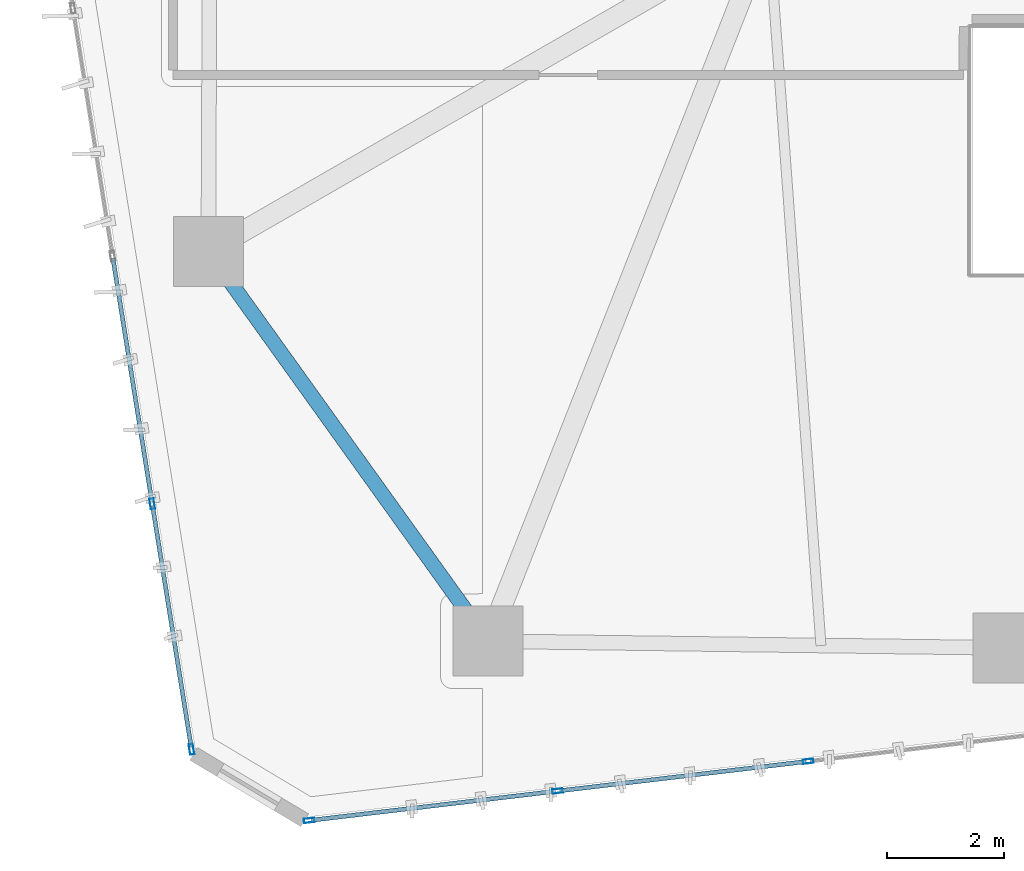
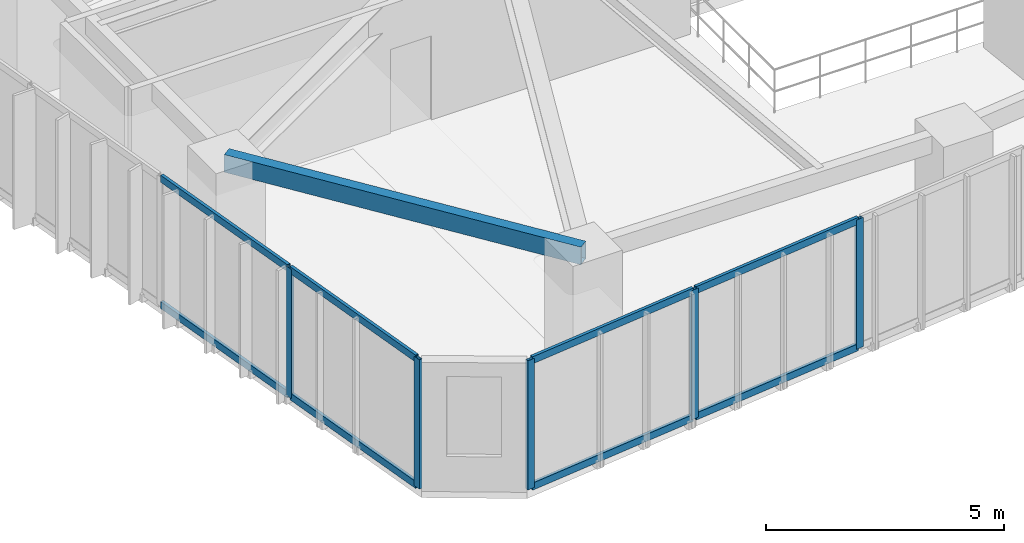
# One storey, part 2 of 24: 13 members, 1 beam, 2 elements without a shape of their own.
"""IFC4 building model written with IfcOpenShell, lengths in metres."""

import ifcopenshell
import ifcopenshell.guid

model = None  # the IFC model being written
_history = None  # IfcOwnerHistory: only IFC2X3 demands one
_inside = {}  # id of a spatial element -> (the spatial element, [elements in it])
_under = {}  # id of a project, library or spatial element -> (it, [spatial elements below it])
_declared = {}  # id of a project -> (the project, [libraries it declares])
_typed = {}  # id of a type object -> (the type object, [elements of that type])
_made_of = {}  # id of a material, layer set ... -> (it, [elements and type objects made of it])


def new_model(schema):
    """Start an empty IFC model of exactly this schema.

    Asked for "IFC4X3", IfcOpenShell would pick the latest addendum, in which some entities
    have other attributes; the version numbers below select the first issue.
    IFC2X3 requires an IfcOwnerHistory on every rooted entity: one is made here for all.
    """
    global model, _history
    if schema == "IFC4X3":
        model = ifcopenshell.file(schema_version=(4, 3, 0, 0))
    else:
        model = ifcopenshell.file(schema=schema)
    _inside.clear()
    _under.clear()
    _declared.clear()
    _typed.clear()
    _made_of.clear()
    _history = None
    if model.schema == "IFC2X3":
        org = make("IfcOrganization", Name="unknown")
        user = make(
            "IfcPersonAndOrganization",
            ThePerson=make("IfcPerson", FamilyName="unknown"),
            TheOrganization=org,
        )
        app = make(
            "IfcApplication",
            ApplicationDeveloper=org,
            Version="unknown",
            ApplicationFullName="unknown",
            ApplicationIdentifier="unknown",
        )
        _history = make(
            "IfcOwnerHistory",
            OwningUser=user,
            OwningApplication=app,
            ChangeAction="ADDED",
            CreationDate=0,
        )
    return model


def make(cls, **values):
    """One entity of the class cls with the attributes given. An attribute that is None is left unset."""
    return model.create_entity(
        cls, **{name: value for name, value in values.items() if value is not None}
    )


def rooted(cls, **values):
    """An entity with a GlobalId (a new one), such as an element, a storey or a relation."""
    return make(cls, GlobalId=ifcopenshell.guid.new(), OwnerHistory=_history, **values)


def si_unit(unit_type, name, prefix=None):
    """IfcSIUnit, for example si_unit("LENGTHUNIT", "METRE", prefix="MILLI")."""
    return make("IfcSIUnit", UnitType=unit_type, Prefix=prefix, Name=name)


def assignment(units):
    """IfcUnitAssignment: the units of a project."""
    return None if units is None else make("IfcUnitAssignment", Units=units)


def point(xyz):
    """IfcCartesianPoint."""
    return None if xyz is None else make("IfcCartesianPoint", Coordinates=xyz)


def direction(xyz):
    """IfcDirection."""
    return None if xyz is None else make("IfcDirection", DirectionRatios=xyz)


def frame(location, z_axis=None, x_axis=None):
    """IfcAxis2Placement3D, a coordinate frame: its origin and axes. An axis left out is left unset."""
    return make(
        "IfcAxis2Placement3D",
        Location=point(location),
        Axis=direction(z_axis),
        RefDirection=direction(x_axis),
    )


def frame_2d(location, x_axis=None):
    """IfcAxis2Placement2D, a coordinate frame in the plane: its origin and x axis."""
    return make(
        "IfcAxis2Placement2D", Location=point(location), RefDirection=direction(x_axis)
    )


def origin():
    """The frame at (0, 0, 0) with its axes left unset."""
    return frame((0.0, 0.0, 0.0))


def origin_2d():
    """The frame at (0, 0) in the plane with its x axis left unset."""
    return frame_2d((0.0, 0.0))


def place(relative_to, where):
    """IfcLocalPlacement: puts the frame where relative to a parent placement (None: the world)."""
    return make(
        "IfcLocalPlacement", PlacementRelTo=relative_to, RelativePlacement=where
    )


def context(
    kind, dimensions, precision=None, world=None, true_north=None, identifier=None
):
    """IfcGeometricRepresentationContext, for example the 3D "Model" context."""
    return make(
        "IfcGeometricRepresentationContext",
        ContextIdentifier=identifier,
        ContextType=kind,
        CoordinateSpaceDimension=dimensions,
        Precision=precision,
        WorldCoordinateSystem=world,
        TrueNorth=true_north,
    )


def subcontext(parent, identifier, kind, view, scale=None):
    """IfcGeometricRepresentationSubContext, for example "Body" below "Model"."""
    return make(
        "IfcGeometricRepresentationSubContext",
        ContextIdentifier=identifier,
        ContextType=kind,
        ParentContext=parent,
        TargetScale=scale,
        TargetView=view,
    )


def project(units=None, contexts=None):
    """IfcProject with its units and contexts."""
    return rooted(
        "IfcProject",
        Name="project",
        RepresentationContexts=contexts,
        UnitsInContext=assignment(units),
    )


def spatial(cls, under=None, at=None, **own):
    """A site, building, storey or space (cls), placed at a placement, below another one or the project."""
    s = rooted(cls, ObjectPlacement=at, **own)
    if under is not None:
        _under.setdefault(under.id(), (under, []))[1].append(s)
    return s


def profile(cls, at=None, kind="AREA", **sizes):
    """A parametric profile (cls). Its sizes go by their IFC names, for example OverallWidth=200.0."""
    return make(cls, ProfileType=kind, Position=at, **sizes)


def hollow_rectangle(**sizes):
    """IfcRectangleHollowProfileDef."""
    return profile("IfcRectangleHollowProfileDef", **sizes)


def extrude(swept, where, along, depth):
    """IfcExtrudedAreaSolid: the profile swept, set in the frame where, extruded along a direction by depth."""
    return make(
        "IfcExtrudedAreaSolid",
        SweptArea=swept,
        Position=where,
        ExtrudedDirection=direction(along),
        Depth=depth,
    )


def shape(context_of_items, identifier, shape_type, items):
    """IfcShapeRepresentation: the items that make up one representation, for example the "Body"."""
    return make(
        "IfcShapeRepresentation",
        ContextOfItems=context_of_items,
        RepresentationIdentifier=identifier,
        RepresentationType=shape_type,
        Items=items,
    )


def source(mapping_origin, context_of_items, identifier, shape_type, items):
    """IfcRepresentationMap: a shape defined once, which mapped items show again and again."""
    return make(
        "IfcRepresentationMap",
        MappingOrigin=mapping_origin,
        MappedRepresentation=shape(context_of_items, identifier, shape_type, items),
    )


def transform(
    local_origin,
    x_axis=None,
    y_axis=None,
    z_axis=None,
    scale=None,
    scale2=None,
    scale3=None,
    uniform=True,
):
    """IfcCartesianTransformationOperator3D, or its non-uniform kind. x_axis, y_axis, z_axis: its Axis1, 2, 3."""
    if uniform:
        return make(
            "IfcCartesianTransformationOperator3D",
            Axis1=direction(x_axis),
            Axis2=direction(y_axis),
            LocalOrigin=point(local_origin),
            Scale=scale,
            Axis3=direction(z_axis),
        )
    return make(
        "IfcCartesianTransformationOperator3DnonUniform",
        Axis1=direction(x_axis),
        Axis2=direction(y_axis),
        LocalOrigin=point(local_origin),
        Scale=scale,
        Axis3=direction(z_axis),
        Scale2=scale2,
        Scale3=scale3,
    )


def mapped(mapping_source, mapping_target):
    """IfcMappedItem: shows the shape of a source again, moved by a transform."""
    return make(
        "IfcMappedItem", MappingSource=mapping_source, MappingTarget=mapping_target
    )


def material(Name=None, Category=None):
    """IfcMaterial."""
    return make("IfcMaterial", Name=Name, Category=Category)


def layer(
    of_material, thickness, ventilated=None, Name=None, Category=None, Priority=None
):
    """IfcMaterialLayer: one layer of a wall or slab, of a material (None: an air gap)."""
    return make(
        "IfcMaterialLayer",
        Material=of_material,
        LayerThickness=thickness,
        IsVentilated=ventilated,
        Name=Name,
        Category=Category,
        Priority=Priority,
    )


def layer_set(layers, Name=None):
    """IfcMaterialLayerSet."""
    return make("IfcMaterialLayerSet", MaterialLayers=layers, LayerSetName=Name)


def material_profile(
    of_material, cross_section, Name=None, Category=None, Priority=None
):
    """IfcMaterialProfile: a cross section and its material."""
    return make(
        "IfcMaterialProfile",
        Name=Name,
        Material=of_material,
        Profile=cross_section,
        Priority=Priority,
        Category=Category,
    )


def profile_set(profiles, Name=None, composite=None):
    """IfcMaterialProfileSet."""
    return make(
        "IfcMaterialProfileSet",
        Name=Name,
        MaterialProfiles=profiles,
        CompositeProfile=composite,
    )


def made_of(thing, what):
    """Note that an element or type object is made of a material, layer set ...; save() writes the relation."""
    if what is not None:
        _made_of.setdefault(what.id(), (what, []))[1].append(thing)
    return thing


def type_object(cls, material=None, **own):
    """A type object (cls), such as IfcWallType, which elements share."""
    return made_of(rooted(cls, **own), material)


def type_shapes(of_type, sources):
    """Give a type object the sources (RepresentationMaps) that its elements show as mapped items."""
    of_type.RepresentationMaps = sources


def element(
    cls,
    number,
    at=None,
    inside=None,
    cuts=None,
    type_object=None,
    material=None,
    context=None,
    identifier="Body",
    shape_type=None,
    held_by="IfcProductDefinitionShape",
    body=None,
    shapes=None,
    **own,
):
    """One element of the class cls, such as IfcWall. Its Tag is "e" and its number.

    at: its placement. inside: the storey or other place that contains it. cuts: it is an
    opening in that element (IfcRelVoidsElement). A single representation is given by context,
    identifier, shape_type and body (its items); several are given by shapes. held_by: the class
    of the entity that holds the representations. save() writes the other relations.
    """
    e = rooted(cls, Tag="e%d" % number, ObjectPlacement=at, **own)
    if body is not None:
        shapes = [shape(context, identifier, shape_type, body)]
    if shapes is not None:
        e.Representation = make(held_by, Representations=shapes)
    if inside is not None:
        _inside.setdefault(inside.id(), (inside, []))[1].append(e)
    if cuts is not None:
        rooted(
            "IfcRelVoidsElement", RelatingBuildingElement=cuts, RelatedOpeningElement=e
        )
    if type_object is not None:
        _typed.setdefault(type_object.id(), (type_object, []))[1].append(e)
    return made_of(e, material)


def aggregate(whole, parts):
    """IfcRelAggregates: a whole, such as a stair, and the parts it consists of."""
    return rooted("IfcRelAggregates", RelatingObject=whole, RelatedObjects=parts)


def save(model, path):
    """Write the relations noted so far, then the file.

    IfcRelAggregates (storeys below a building ...), IfcRelContainedInSpatialStructure (elements
    in a storey), IfcRelDefinesByType, IfcRelAssociatesMaterial and IfcRelDeclares: one each for
    every whole, place, type object, material and project.
    """
    for whole, parts in _under.values():
        aggregate(whole, parts)
    for where, things in _inside.values():
        rooted(
            "IfcRelContainedInSpatialStructure",
            RelatedElements=things,
            RelatingStructure=where,
        )
    for kind, things in _typed.values():
        rooted("IfcRelDefinesByType", RelatedObjects=things, RelatingType=kind)
    for what, things in _made_of.values():
        rooted("IfcRelAssociatesMaterial", RelatedObjects=things, RelatingMaterial=what)
    for by, libraries in _declared.values():
        rooted("IfcRelDeclares", RelatingContext=by, RelatedDefinitions=libraries)
    model.write(path)


model = new_model("IFC4")

# Units and contexts
model_context = context("Model", 3, precision=1e-05, world=origin(), true_north=direction((0.0, 1.0)))
body_context = subcontext(model_context, "Body", "Model", "MODEL_VIEW")
ifc_project = project(units=[si_unit("LENGTHUNIT", "METRE"), si_unit("AREAUNIT", "SQUARE_METRE"), si_unit("VOLUMEUNIT", "CUBIC_METRE"), si_unit("PLANEANGLEUNIT", "RADIAN"), si_unit("MASSUNIT", "GRAM", prefix="KILO")], contexts=[model_context])

# Site, building, storey
site_placement = place(None, origin())
site = spatial("IfcSite", under=ifc_project, at=site_placement, CompositionType="ELEMENT")
building_placement = place(site_placement, origin())
building = spatial("IfcBuilding", under=site, at=building_placement, Name="Talar Marvaseh", CompositionType="ELEMENT")
storey_placement = place(building_placement, frame((0.0, 0.0, 111.0)))
storey = spatial("IfcBuildingStorey", under=building, at=storey_placement, Name="L28", CompositionType="ELEMENT", Elevation=111.0)

# Beam
ifc_material_1 = material(Name="Steel S355", Category="steel")
ifc_material_profile_1 = material_profile(ifc_material_1, hollow_rectangle(XDim=0.25, YDim=0.449951171875, WallThickness=0.01611328125, at=origin_2d()), Name="RHS450x250x16")
ifc_profile_set_1 = profile_set([ifc_material_profile_1], Name="Steel S355")
beam_type = type_object("IfcBeamType", Name="Zone 2 Perimeter Spandrel Beam RHS450x250x16", PredefinedType="SPANDREL", material=ifc_profile_set_1)
beam_placement = place(storey_placement, frame((13.89111328125, 13.299072265625, 3.0849609375), z_axis=(-0.582852871994, 0.812577706812, 0.0), x_axis=(-0.812577706812, -0.582852871994, 0.0)))
element("IfcBeam", 1, at=beam_placement, inside=storey, type_object=beam_type, Name="L28 Zone 2 Perimeter Spandrel Beam RHS450x250x16", PredefinedType="SPANDREL", context=body_context, shape_type="SweptSolid", body=[
    extrude(hollow_rectangle(XDim=0.25, YDim=0.449951171875, WallThickness=0.01611328125, at=origin_2d()), origin(), (0.0, 0.0, 1.0), 8.21826171875),
])

# Curtain wall, members
ifc_material_2 = material(Name="Architectural Aluminium", Category="aluminium")
ifc_layer = layer(ifc_material_2, 0.199951171875)
ifc_layer_set = layer_set([ifc_layer], Name="Architectural Aluminium")
curtain_wall_type = type_object("IfcCurtainWallType", Name="Unitised Acoustic Library Curtain Wall Z2", PredefinedType="NOTDEFINED", material=ifc_layer_set)
curtain_wall_1_placement = place(storey_placement, origin())
curtain_wall_1 = element("IfcCurtainWall", 2, at=curtain_wall_1_placement, inside=storey, type_object=curtain_wall_type, Name="L28 Unitised Acoustic Library Curtain Wall Z2", PredefinedType="NOTDEFINED")
ifc_material_profile_2 = material_profile(ifc_material_2, hollow_rectangle(XDim=0.074951171875, YDim=0.179931640625, WallThickness=0.0048828125, at=origin_2d()), Name="RHS180x75x5")
ifc_profile_set_2 = profile_set([ifc_material_profile_2], Name="Architectural Aluminium")
member_type_1 = type_object("IfcMemberType", Name="Unitised Curtain Wall Standard Mullion RHS180x75x5", PredefinedType="MULLION", material=ifc_profile_set_2)
shared_shape_1 = source(origin(), body_context, "Body", "SweptSolid", [
    extrude(hollow_rectangle(XDim=0.074951171875, YDim=0.179931640625, WallThickness=0.0048828125, at=origin_2d()), origin(), (0.0, 0.0, 1.0), 3.31005859375),
])
type_shapes(member_type_1, [shared_shape_1])
member_1_placement = place(storey_placement, frame((8.814453125, 11.446044921875, 0.0), z_axis=(0.0, 0.0, 1.0), x_axis=(-0.987423965533, -0.15809463081, 0.0)))
member_1 = element("IfcMember", 3, at=member_1_placement, type_object=member_type_1, Name="CW-Z2 mullion 1", PredefinedType="MULLION", context=body_context, shape_type="MappedRepresentation", body=[
    mapped(shared_shape_1, transform((0.0, 0.0, 0.0), x_axis=(1.0, 0.0, 0.0), y_axis=(0.0, 1.0, 0.0), z_axis=(0.0, 0.0, 1.0), scale=1.0)),
])
member_2_placement = place(storey_placement, frame((8.140869140625, 15.65283203125, 0.0), z_axis=(0.0, 0.0, 1.0), x_axis=(-0.987423965533, -0.15809463081, 0.0)))
member_2 = element("IfcMember", 4, at=member_2_placement, type_object=member_type_1, Name="CW-Z2 mullion 2", PredefinedType="MULLION", context=body_context, shape_type="MappedRepresentation", body=[
    mapped(shared_shape_1, transform((0.0, 0.0, 0.0), x_axis=(1.0, 0.0, 0.0), y_axis=(0.0, 1.0, 0.0), z_axis=(0.0, 0.0, 1.0), scale=1.0)),
])

curtain_wall_2_placement = place(storey_placement, origin())
curtain_wall_2 = element("IfcCurtainWall", 5, at=curtain_wall_2_placement, inside=storey, type_object=curtain_wall_type, Name="L28 Unitised Acoustic Library Curtain Wall Z2", PredefinedType="NOTDEFINED")
member_3_placement = place(storey_placement, frame((19.376953125, 11.240966796875, 0.0), z_axis=(0.0, 0.0, 1.0), x_axis=(0.117690940754, -0.993050271872, 0.0)))
member_3 = element("IfcMember", 6, at=member_3_placement, type_object=member_type_1, Name="CW-Z2 mullion 4", PredefinedType="MULLION", context=body_context, shape_type="MappedRepresentation", body=[
    mapped(shared_shape_1, transform((0.0, 0.0, 0.0), x_axis=(1.0, 0.0, 0.0), y_axis=(0.0, 1.0, 0.0), z_axis=(0.0, 0.0, 1.0), scale=1.0)),
])
member_4_placement = place(storey_placement, frame((15.08349609375, 10.73193359375, 0.0), z_axis=(0.0, 0.0, 1.0), x_axis=(0.117690940754, -0.993050271872, 0.0)))
member_4 = element("IfcMember", 7, at=member_4_placement, type_object=member_type_1, Name="CW-Z2 mullion 5", PredefinedType="MULLION", context=body_context, shape_type="MappedRepresentation", body=[
    mapped(shared_shape_1, transform((0.0, 0.0, 0.0), x_axis=(1.0, 0.0, 0.0), y_axis=(0.0, 1.0, 0.0), z_axis=(0.0, 0.0, 1.0), scale=1.0)),
])
member_5_placement = place(storey_placement, frame((10.827392578125, 10.2275390625, 0.0), z_axis=(0.0, 0.0, 1.0), x_axis=(0.117690940754, -0.993050271872, 0.0)))
member_5 = element("IfcMember", 8, at=member_5_placement, type_object=member_type_1, Name="CW-Z2 mullion 6", PredefinedType="MULLION", context=body_context, shape_type="MappedRepresentation", body=[
    mapped(shared_shape_1, transform((0.0, 0.0, 0.0), x_axis=(1.0, 0.0, 0.0), y_axis=(0.0, 1.0, 0.0), z_axis=(0.0, 0.0, 1.0), scale=1.0)),
])

# Member
ifc_material_profile_3 = material_profile(ifc_material_2, hollow_rectangle(XDim=0.074951171875, YDim=0.179931640625, WallThickness=0.0048828125, at=origin_2d()), Name="RHS180x75x5")
ifc_profile_set_3 = profile_set([ifc_material_profile_3], Name="Architectural Aluminium")
member_type_2 = type_object("IfcMemberType", Name="Unitised Curtain Wall Transom RHS180x75x5", PredefinedType="USERDEFINED", material=ifc_profile_set_3)
shared_shape_2 = source(origin(), body_context, "Body", "SweptSolid", [
    extrude(hollow_rectangle(XDim=0.074951171875, YDim=0.179931640625, WallThickness=0.0048828125, at=origin_2d()), origin(), (0.0, 0.0, 1.0), 4.22314453125),
])
member_6_placement = place(storey_placement, frame((8.135009765625, 15.68994140625, 0.03759765625), z_axis=(-0.158114510534, 0.987420782422, 0.0), x_axis=(-0.987420782422, -0.158114510534, 0.0)))
member_6 = element("IfcMember", 9, at=member_6_placement, type_object=member_type_2, Name="CW-Z2 transom 2.1", ObjectType="TRANSOM", PredefinedType="USERDEFINED", context=body_context, shape_type="MappedRepresentation", body=[
    mapped(shared_shape_2, transform((0.0, 0.0, 0.0), x_axis=(1.0, 0.0, 0.0), y_axis=(0.0, 1.0, 0.0), z_axis=(0.0, 0.0, 1.0), scale=1.0)),
])

member_7_placement = place(storey_placement, frame((8.135009765625, 15.68994140625, 3.2724609375), z_axis=(-0.158114510534, 0.987420782422, 0.0), x_axis=(-0.987420782422, -0.158114510534, 0.0)))
member_7 = element("IfcMember", 10, at=member_7_placement, type_object=member_type_2, Name="CW-Z2 transom 2.2", ObjectType="TRANSOM", PredefinedType="USERDEFINED", context=body_context, shape_type="MappedRepresentation", body=[
    mapped(shared_shape_2, transform((0.0, 0.0, 0.0), x_axis=(1.0, 0.0, 0.0), y_axis=(0.0, 1.0, 0.0), z_axis=(0.0, 0.0, 1.0), scale=1.0)),
])

shared_shape_3 = source(origin(), body_context, "Body", "SweptSolid", [
    extrude(hollow_rectangle(XDim=0.074951171875, YDim=0.179931640625, WallThickness=0.0048828125, at=origin_2d()), origin(), (0.0, 0.0, 1.0), 4.185546875),
])
member_8_placement = place(storey_placement, frame((8.80859375, 11.483154296875, 0.03759765625), z_axis=(-0.158076950469, 0.987426796138, 0.0), x_axis=(-0.987426796138, -0.158076950469, 0.0)))
member_8 = element("IfcMember", 11, at=member_8_placement, type_object=member_type_2, Name="CW-Z2 transom 1.1", ObjectType="TRANSOM", PredefinedType="USERDEFINED", context=body_context, shape_type="MappedRepresentation", body=[
    mapped(shared_shape_3, transform((0.0, 0.0, 0.0), x_axis=(1.0, 0.0, 0.0), y_axis=(0.0, 1.0, 0.0), z_axis=(0.0, 0.0, 1.0), scale=1.0)),
])

member_9_placement = place(storey_placement, frame((8.80859375, 11.483154296875, 3.2724609375), z_axis=(-0.158076950469, 0.987426796138, 0.0), x_axis=(-0.987426796138, -0.158076950469, 0.0)))
member_9 = element("IfcMember", 12, at=member_9_placement, type_object=member_type_2, Name="CW-Z2 transom 1.2", ObjectType="TRANSOM", PredefinedType="USERDEFINED", context=body_context, shape_type="MappedRepresentation", body=[
    mapped(shared_shape_3, transform((0.0, 0.0, 0.0), x_axis=(1.0, 0.0, 0.0), y_axis=(0.0, 1.0, 0.0), z_axis=(0.0, 0.0, 1.0), scale=1.0)),
])

aggregate(curtain_wall_1, [member_1, member_2, member_8, member_9, member_6, member_7])

shared_shape_4 = source(origin(), body_context, "Body", "SweptSolid", [
    extrude(hollow_rectangle(XDim=0.074951171875, YDim=0.179931640625, WallThickness=0.0048828125, at=origin_2d()), origin(), (0.0, 0.0, 1.0), 4.211181640625),
])
member_10_placement = place(storey_placement, frame((15.04638671875, 10.7275390625, 0.03759765625), z_axis=(-0.993050517995, -0.117688864004, 0.0), x_axis=(0.117688864004, -0.993050517995, 0.0)))
member_10 = element("IfcMember", 13, at=member_10_placement, type_object=member_type_2, Name="CW-Z2 transom 5.1", ObjectType="TRANSOM", PredefinedType="USERDEFINED", context=body_context, shape_type="MappedRepresentation", body=[
    mapped(shared_shape_4, transform((0.0, 0.0, 0.0), x_axis=(1.0, 0.0, 0.0), y_axis=(0.0, 1.0, 0.0), z_axis=(0.0, 0.0, 1.0), scale=1.0)),
])

member_11_placement = place(storey_placement, frame((15.04638671875, 10.7275390625, 3.2724609375), z_axis=(-0.993050517995, -0.117688864004, 0.0), x_axis=(0.117688864004, -0.993050517995, 0.0)))
member_11 = element("IfcMember", 14, at=member_11_placement, type_object=member_type_2, Name="CW-Z2 transom 5.2", ObjectType="TRANSOM", PredefinedType="USERDEFINED", context=body_context, shape_type="MappedRepresentation", body=[
    mapped(shared_shape_4, transform((0.0, 0.0, 0.0), x_axis=(1.0, 0.0, 0.0), y_axis=(0.0, 1.0, 0.0), z_axis=(0.0, 0.0, 1.0), scale=1.0)),
])

shared_shape_5 = source(origin(), body_context, "Body", "SweptSolid", [
    extrude(hollow_rectangle(XDim=0.074951171875, YDim=0.179931640625, WallThickness=0.0048828125, at=origin_2d()), origin(), (0.0, 0.0, 1.0), 4.24853515625),
])
type_shapes(member_type_2, [shared_shape_2, shared_shape_3, shared_shape_4, shared_shape_5])
member_12_placement = place(storey_placement, frame((19.33984375, 11.236572265625, 0.03759765625), z_axis=(-0.99305061131, -0.117688076614, 0.0), x_axis=(0.117688076614, -0.99305061131, 0.0)))
member_12 = element("IfcMember", 15, at=member_12_placement, type_object=member_type_2, Name="CW-Z2 transom 4.1", ObjectType="TRANSOM", PredefinedType="USERDEFINED", context=body_context, shape_type="MappedRepresentation", body=[
    mapped(shared_shape_5, transform((0.0, 0.0, 0.0), x_axis=(1.0, 0.0, 0.0), y_axis=(0.0, 1.0, 0.0), z_axis=(0.0, 0.0, 1.0), scale=1.0)),
])

member_13_placement = place(storey_placement, frame((19.33984375, 11.236572265625, 3.2724609375), z_axis=(-0.99305061131, -0.117688076614, 0.0), x_axis=(0.117688076614, -0.99305061131, 0.0)))
member_13 = element("IfcMember", 16, at=member_13_placement, type_object=member_type_2, Name="CW-Z2 transom 4.2", ObjectType="TRANSOM", PredefinedType="USERDEFINED", context=body_context, shape_type="MappedRepresentation", body=[
    mapped(shared_shape_5, transform((0.0, 0.0, 0.0), x_axis=(1.0, 0.0, 0.0), y_axis=(0.0, 1.0, 0.0), z_axis=(0.0, 0.0, 1.0), scale=1.0)),
])

aggregate(curtain_wall_2, [member_3, member_4, member_5, member_12, member_13, member_10, member_11])

save(model, "model.ifc")
